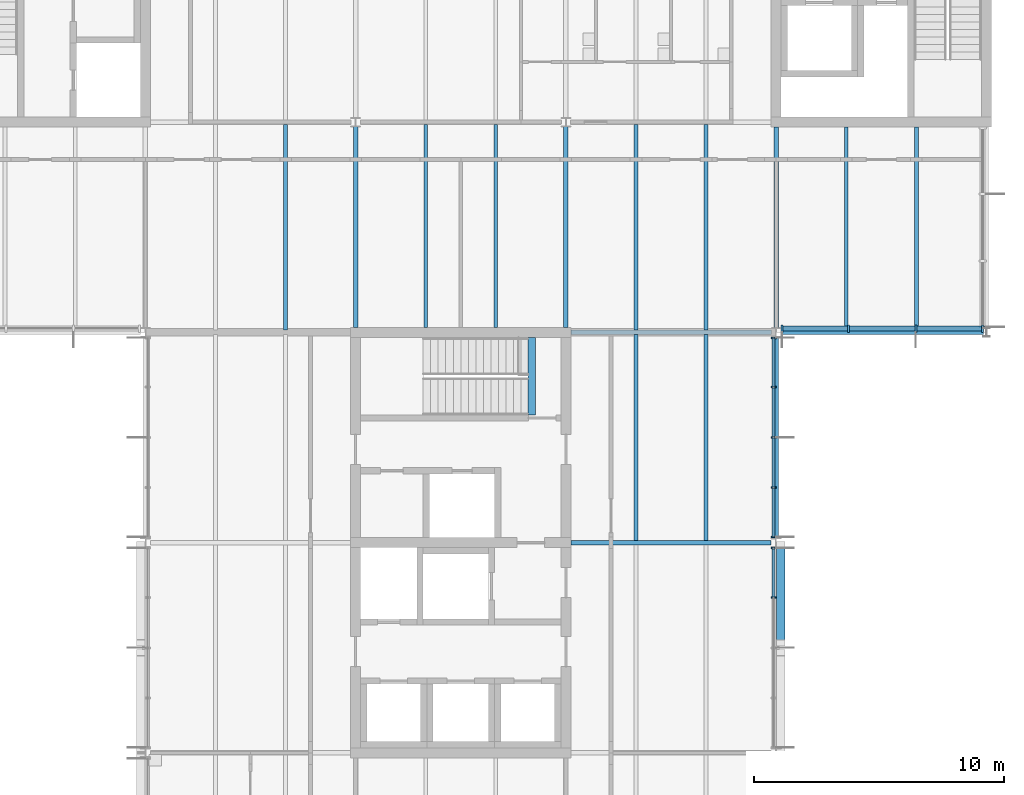
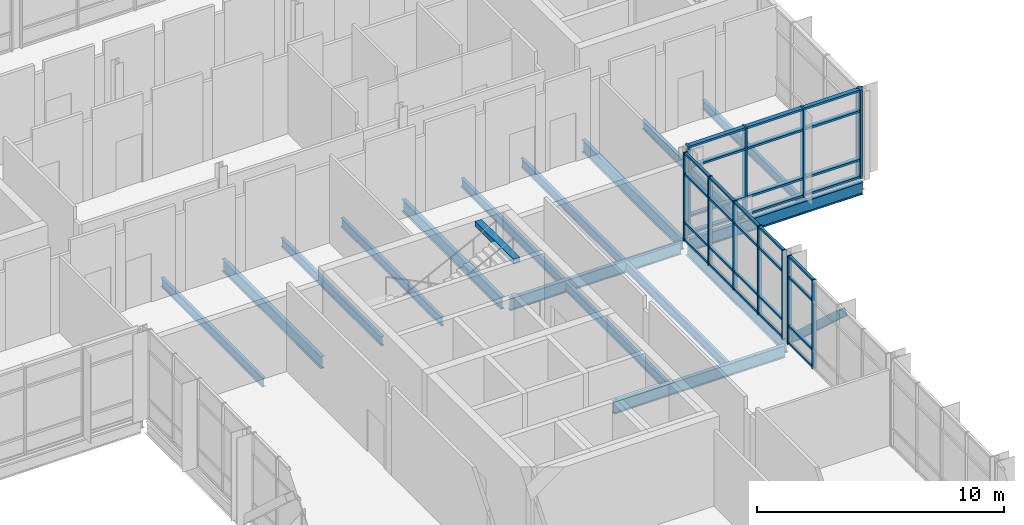
# One storey, part 23 of 72: 45 members, 17 beams, 4 elements without a shape of their own.
"""IFC4 building model written with IfcOpenShell, lengths in metres."""

from ifc_helpers import new_model, si_unit, direction, frame, origin, origin_2d, place, context, subcontext, project, spatial, rectangle, hollow_rectangle, i_section, extrude, material, material_profile, profile_set, type_object, element, aggregate, save


model = new_model("IFC4")

# Units and contexts
model_context = context("Model", 3, precision=1e-05, world=origin(), true_north=direction((0.0, 1.0)))
body_context = subcontext(model_context, "Body", "Model", "MODEL_VIEW")
ifc_project = project(units=[si_unit("LENGTHUNIT", "METRE"), si_unit("AREAUNIT", "SQUARE_METRE"), si_unit("VOLUMEUNIT", "CUBIC_METRE"), si_unit("PLANEANGLEUNIT", "RADIAN"), si_unit("MASSUNIT", "GRAM", prefix="KILO")], contexts=[model_context])

# Site, building, storey
site_placement = place(None, origin())
site = spatial("IfcSite", under=ifc_project, at=site_placement, CompositionType="ELEMENT")
building_placement = place(site_placement, origin())
building = spatial("IfcBuilding", under=site, at=building_placement, Name="Hlaing Beacon Police Headquarters", CompositionType="ELEMENT")
storey_placement = place(building_placement, frame((0.0, 0.0, 14.39990234375)))
storey = spatial("IfcBuildingStorey", under=building, at=storey_placement, Name="L03", CompositionType="ELEMENT", Elevation=14.39990234375)

# Member
ifc_material_1 = material(Name="Steel ASTM A500 Grade C", Category="steel")
ifc_material_profile_1 = material_profile(ifc_material_1, hollow_rectangle(XDim=0.355712890625, YDim=0.355712890625, WallThickness=0.015869140625, at=origin_2d()), Name="HSS14x14x5/8")
ifc_profile_set_1 = profile_set([ifc_material_profile_1], Name="Steel ASTM A500 Grade C")
member_type_1 = type_object("IfcMemberType", Name="Chevron brace HSS14x14x5/8", PredefinedType="BRACE", material=ifc_profile_set_1)
member_1_placement = place(storey_placement, frame((126.181884765625, 58.72412109375, 0.131103515625), z_axis=(0.0, -0.738196081361, 0.674586203137), x_axis=(1.0, 0.0, 0.0)))
element("IfcMember", 1, at=member_1_placement, inside=storey, type_object=member_type_1, Name="STR-BR-L03-R7b", PredefinedType="BRACE", context=body_context, shape_type="SweptSolid", body=[
    extrude(hollow_rectangle(XDim=0.355712890625, YDim=0.355712890625, WallThickness=0.015869140625, at=origin_2d()), origin(), (0.0, 0.0, 1.0), 5.315673828125),
])

# Beams
ifc_material_2 = material(Name="Steel ASTM A992 Grade 50", Category="steel")
ifc_material_profile_2 = material_profile(ifc_material_2, i_section(OverallWidth=0.177978515625, OverallDepth=0.599365234375, WebThickness=0.010009765625, FlangeThickness=0.012939453125, FilletRadius=0.012939453125, at=origin_2d()), Name="W24x55")
ifc_profile_set_2 = profile_set([ifc_material_profile_2], Name="Steel ASTM A992 Grade 50")
beam_type_1 = type_object("IfcBeamType", Name="Girder W24x55", PredefinedType="BEAM", material=ifc_profile_set_2)
beam_1_placement = place(storey_placement, frame((117.800048828125, 58.800048828125, -0.4296875), z_axis=(1.0, 0.0, 0.0), x_axis=(0.0, 1.0, 0.0)))
element("IfcBeam", 2, at=beam_1_placement, inside=storey, type_object=beam_type_1, Name="STR-BM-L03-GX-Q8-R8", PredefinedType="BEAM", context=body_context, shape_type="SweptSolid", body=[
    extrude(i_section(OverallWidth=0.177978515625, OverallDepth=0.599365234375, WebThickness=0.010009765625, FlangeThickness=0.012939453125, FilletRadius=0.012939453125, at=origin_2d()), origin(), (0.0, 0.0, 1.0), 8.0009765625),
])
beam_2_placement = place(storey_placement, frame((117.800048828125, 67.199951171875, -0.4296875), z_axis=(1.0, 0.0, 0.0), x_axis=(0.0, 1.0, 0.0)))
element("IfcBeam", 3, at=beam_2_placement, inside=storey, type_object=beam_type_1, Name="STR-BM-L03-GX-Q9-R9", PredefinedType="BEAM", context=body_context, shape_type="SweptSolid", body=[
    extrude(i_section(OverallWidth=0.177978515625, OverallDepth=0.599365234375, WebThickness=0.010009765625, FlangeThickness=0.012939453125, FilletRadius=0.012939453125, at=origin_2d()), origin(), (0.0, 0.0, 1.0), 8.0029296875),
])
beam_3_placement = place(storey_placement, frame((126.197021484375, 67.199951171875, -0.4296875), z_axis=(1.0, 0.0, 0.0), x_axis=(0.0, 1.0, 0.0)))
element("IfcBeam", 4, at=beam_3_placement, inside=storey, type_object=beam_type_1, Name="STR-BM-L03-GX-R9-S9", PredefinedType="BEAM", context=body_context, shape_type="SweptSolid", body=[
    extrude(i_section(OverallWidth=0.177978515625, OverallDepth=0.599365234375, WebThickness=0.010009765625, FlangeThickness=0.012939453125, FilletRadius=0.012939453125, at=origin_2d()), origin(), (0.0, 0.0, 1.0), 8.075927734375),
])
for number, where, z_axis, x_axis, name in (
    (5, (109.199951171875, 67.39990234375, -0.4296875), (0.0, 1.0, 0.0), (-1.0, 0.0, 0.0), "STR-BM-L03-GY-P9-P10"),
    (6, (117.60009765625, 67.39990234375, -0.4296875), (0.0, 1.0, 0.0), (-1.0, 0.0, 0.0), "STR-BM-L03-GY-Q9-Q10"),
):
    element("IfcBeam", number, at=place(storey_placement, frame(where, z_axis=z_axis, x_axis=x_axis)), inside=storey, type_object=beam_type_1, Name=name, PredefinedType="BEAM", context=body_context, shape_type="SweptSolid", body=[
        extrude(i_section(OverallWidth=0.177978515625, OverallDepth=0.599365234375, WebThickness=0.010009765625, FlangeThickness=0.012939453125, FilletRadius=0.012939453125, at=origin_2d()), origin(), (0.0, 0.0, 1.0), 8.01318359375),
    ])
beam_4_placement = place(storey_placement, frame((126.0, 58.992919921875, -0.4296875), z_axis=(0.0, 1.0, 0.0), x_axis=(-1.0, 0.0, 0.0)))
element("IfcBeam", 7, at=beam_4_placement, inside=storey, type_object=beam_type_1, Name="STR-BM-L03-GY-R8-R9", PredefinedType="BEAM", context=body_context, shape_type="SweptSolid", body=[
    extrude(i_section(OverallWidth=0.177978515625, OverallDepth=0.599365234375, WebThickness=0.010009765625, FlangeThickness=0.012939453125, FilletRadius=0.012939453125, at=origin_2d()), origin(), (0.0, 0.0, 1.0), 8.01904296875),
])
beam_5_placement = place(storey_placement, frame((126.0, 67.387939453125, -0.4296875), z_axis=(0.0, 1.0, 0.0), x_axis=(-1.0, 0.0, 0.0)))
element("IfcBeam", 8, at=beam_5_placement, inside=storey, type_object=beam_type_1, Name="STR-BM-L03-GY-R9-R10", PredefinedType="BEAM", context=body_context, shape_type="SweptSolid", body=[
    extrude(i_section(OverallWidth=0.177978515625, OverallDepth=0.599365234375, WebThickness=0.010009765625, FlangeThickness=0.012939453125, FilletRadius=0.012939453125, at=origin_2d()), origin(), (0.0, 0.0, 1.0), 8.011962890625),
])

# Curtain wall, members
ifc_material_3 = material(Name="Aluminium frame with solar control glazing", Category="aluminium")
curtain_wall_type_1 = type_object("IfcCurtainWallType", Name="Unitised curtain wall 8.02 x 4.37", PredefinedType="NOTDEFINED", material=ifc_material_3)
curtain_wall_1_placement = place(storey_placement, origin())
curtain_wall_1 = element("IfcCurtainWall", 9, at=curtain_wall_1_placement, inside=storey, type_object=curtain_wall_type_1, Name="ENV-CW-L03-E023", PredefinedType="NOTDEFINED")
ifc_material_4 = material(Name="Aluminium", Category="aluminium")
ifc_material_profile_3 = material_profile(ifc_material_4, rectangle(XDim=0.199951171875, YDim=0.06005859375, at=origin_2d()), Name="Mullion 60x200")
ifc_profile_set_3 = profile_set([ifc_material_profile_3], Name="Aluminium")
member_type_2 = type_object("IfcMemberType", Name="Mullion 60x200", PredefinedType="MULLION", material=ifc_profile_set_3)
member_2_placement = place(storey_placement, frame((125.89990234375, 56.604736328125, 0.0), z_axis=(0.0, 0.0, 1.0), x_axis=(-1.0, 0.0, 0.0)))
member_2 = element("IfcMember", 10, at=member_2_placement, type_object=member_type_2, Name="CW-L03-E023 mullion 4", PredefinedType="MULLION", context=body_context, shape_type="SweptSolid", body=[
    extrude(rectangle(XDim=0.199951171875, YDim=0.06005859375, at=origin_2d()), origin(), (0.0, 0.0, 1.0), 4.3701171875),
])
member_3_placement = place(storey_placement, frame((125.89990234375, 58.57958984375, 0.0), z_axis=(0.0, 0.0, 1.0), x_axis=(-1.0, 0.0, 0.0)))
member_3 = element("IfcMember", 11, at=member_3_placement, type_object=member_type_2, Name="CW-L03-E023 mullion 5", PredefinedType="MULLION", context=body_context, shape_type="SweptSolid", body=[
    extrude(rectangle(XDim=0.199951171875, YDim=0.06005859375, at=origin_2d()), origin(), (0.0, 0.0, 1.0), 4.3701171875),
])

curtain_wall_2_placement = place(storey_placement, origin())
curtain_wall_2 = element("IfcCurtainWall", 12, at=curtain_wall_2_placement, inside=storey, type_object=curtain_wall_type_1, Name="ENV-CW-L03-E024", PredefinedType="NOTDEFINED")
member_4_placement = place(storey_placement, frame((125.89990234375, 59.0205078125, 0.0), z_axis=(0.0, 0.0, 1.0), x_axis=(-1.0, 0.0, 0.0)))
member_4 = element("IfcMember", 13, at=member_4_placement, type_object=member_type_2, Name="CW-L03-E024 mullion 1", PredefinedType="MULLION", context=body_context, shape_type="SweptSolid", body=[
    extrude(rectangle(XDim=0.199951171875, YDim=0.06005859375, at=origin_2d()), origin(), (0.0, 0.0, 1.0), 4.3701171875),
])
member_5_placement = place(storey_placement, frame((125.89990234375, 60.99609375, 0.0), z_axis=(0.0, 0.0, 1.0), x_axis=(-1.0, 0.0, 0.0)))
member_5 = element("IfcMember", 14, at=member_5_placement, type_object=member_type_2, Name="CW-L03-E024 mullion 2", PredefinedType="MULLION", context=body_context, shape_type="SweptSolid", body=[
    extrude(rectangle(XDim=0.199951171875, YDim=0.06005859375, at=origin_2d()), origin(), (0.0, 0.0, 1.0), 4.3701171875),
])
member_6_placement = place(storey_placement, frame((125.89990234375, 63.001953125, 0.0), z_axis=(0.0, 0.0, 1.0), x_axis=(-1.0, 0.0, 0.0)))
member_6 = element("IfcMember", 15, at=member_6_placement, type_object=member_type_2, Name="CW-L03-E024 mullion 3", PredefinedType="MULLION", context=body_context, shape_type="SweptSolid", body=[
    extrude(rectangle(XDim=0.199951171875, YDim=0.06005859375, at=origin_2d()), origin(), (0.0, 0.0, 1.0), 4.3701171875),
])
member_7_placement = place(storey_placement, frame((125.89990234375, 65.007568359375, 0.0), z_axis=(0.0, 0.0, 1.0), x_axis=(-1.0, 0.0, 0.0)))
member_7 = element("IfcMember", 16, at=member_7_placement, type_object=member_type_2, Name="CW-L03-E024 mullion 4", PredefinedType="MULLION", context=body_context, shape_type="SweptSolid", body=[
    extrude(rectangle(XDim=0.199951171875, YDim=0.06005859375, at=origin_2d()), origin(), (0.0, 0.0, 1.0), 4.3701171875),
])
member_8_placement = place(storey_placement, frame((125.89990234375, 66.9833984375, 0.0), z_axis=(0.0, 0.0, 1.0), x_axis=(-1.0, 0.0, 0.0)))
member_8 = element("IfcMember", 17, at=member_8_placement, type_object=member_type_2, Name="CW-L03-E024 mullion 5", PredefinedType="MULLION", context=body_context, shape_type="SweptSolid", body=[
    extrude(rectangle(XDim=0.199951171875, YDim=0.06005859375, at=origin_2d()), origin(), (0.0, 0.0, 1.0), 4.3701171875),
])

ifc_material_5 = material(Name="Aluminium frame with solar control glazing", Category="aluminium")
curtain_wall_type_2 = type_object("IfcCurtainWallType", Name="Structural glazed gable wall 8.09 x 4.37", PredefinedType="NOTDEFINED", material=ifc_material_5)
curtain_wall_3_placement = place(storey_placement, origin())
curtain_wall_3 = element("IfcCurtainWall", 18, at=curtain_wall_3_placement, inside=storey, type_object=curtain_wall_type_2, Name="ENV-CW-L03-S025", PredefinedType="NOTDEFINED")
ifc_material_6 = material(Name="Aluminium", Category="aluminium")
ifc_material_profile_4 = material_profile(ifc_material_6, rectangle(XDim=0.300048828125, YDim=0.080078125, at=origin_2d()), Name="Mullion 80x300")
ifc_profile_set_4 = profile_set([ifc_material_profile_4], Name="Aluminium")
member_type_3 = type_object("IfcMemberType", Name="Mullion 80x300", PredefinedType="MULLION", material=ifc_profile_set_4)
member_9_placement = place(storey_placement, frame((126.226806640625, 67.35009765625, 0.0), z_axis=(0.0, 0.0, 1.0), x_axis=(0.0, 1.0, 0.0)))
member_9 = element("IfcMember", 19, at=member_9_placement, type_object=member_type_3, Name="CW-L03-S025 mullion 1", PredefinedType="MULLION", context=body_context, shape_type="SweptSolid", body=[
    extrude(rectangle(XDim=0.300048828125, YDim=0.080078125, at=origin_2d()), origin(), (0.0, 0.0, 1.0), 4.3701171875),
])
member_10_placement = place(storey_placement, frame((128.882080078125, 67.35009765625, 0.0), z_axis=(0.0, 0.0, 1.0), x_axis=(0.0, 1.0, 0.0)))
member_10 = element("IfcMember", 20, at=member_10_placement, type_object=member_type_3, Name="CW-L03-S025 mullion 2", PredefinedType="MULLION", context=body_context, shape_type="SweptSolid", body=[
    extrude(rectangle(XDim=0.300048828125, YDim=0.080078125, at=origin_2d()), origin(), (0.0, 0.0, 1.0), 4.3701171875),
])
member_11_placement = place(storey_placement, frame((131.57763671875, 67.35009765625, 0.0), z_axis=(0.0, 0.0, 1.0), x_axis=(0.0, 1.0, 0.0)))
member_11 = element("IfcMember", 21, at=member_11_placement, type_object=member_type_3, Name="CW-L03-S025 mullion 3", PredefinedType="MULLION", context=body_context, shape_type="SweptSolid", body=[
    extrude(rectangle(XDim=0.300048828125, YDim=0.080078125, at=origin_2d()), origin(), (0.0, 0.0, 1.0), 4.3701171875),
])
member_12_placement = place(storey_placement, frame((134.23291015625, 67.35009765625, 0.0), z_axis=(0.0, 0.0, 1.0), x_axis=(0.0, 1.0, 0.0)))
member_12 = element("IfcMember", 22, at=member_12_placement, type_object=member_type_3, Name="CW-L03-S025 mullion 4", PredefinedType="MULLION", context=body_context, shape_type="SweptSolid", body=[
    extrude(rectangle(XDim=0.300048828125, YDim=0.080078125, at=origin_2d()), origin(), (0.0, 0.0, 1.0), 4.3701171875),
])

# Curtain wall, member
ifc_material_7 = material(Name="Aluminium frame with solar control glazing", Category="aluminium")
curtain_wall_type_3 = type_object("IfcCurtainWallType", Name="Structural glazed gable wall 8.02 x 4.37", PredefinedType="NOTDEFINED", material=ifc_material_7)
curtain_wall_4_placement = place(storey_placement, origin())
curtain_wall_4 = element("IfcCurtainWall", 23, at=curtain_wall_4_placement, inside=storey, type_object=curtain_wall_type_3, Name="ENV-CW-L03-E026", PredefinedType="NOTDEFINED")
member_13_placement = place(storey_placement, frame((134.25, 67.41650390625, 0.0), z_axis=(0.0, 0.0, 1.0), x_axis=(-1.0, 0.0, 0.0)))
member_13 = element("IfcMember", 24, at=member_13_placement, type_object=member_type_3, Name="CW-L03-E026 mullion 1", PredefinedType="MULLION", context=body_context, shape_type="SweptSolid", body=[
    extrude(rectangle(XDim=0.300048828125, YDim=0.080078125, at=origin_2d()), origin(), (0.0, 0.0, 1.0), 4.3701171875),
])
aggregate(curtain_wall_4, [member_13])

# Beams
ifc_material_8 = material(Name="Steel ASTM A992 Grade 50", Category="steel")
ifc_material_profile_5 = material_profile(ifc_material_8, i_section(OverallWidth=0.15234375, OverallDepth=0.449462890625, WebThickness=0.007568359375, FlangeThickness=0.0107421875, FilletRadius=0.01025390625, at=origin_2d()), Name="W18x35")
ifc_profile_set_5 = profile_set([ifc_material_profile_5], Name="Steel ASTM A992 Grade 50")
beam_type_2 = type_object("IfcBeamType", Name="Secondary beam W18x35", PredefinedType="BEAM", material=ifc_profile_set_5)
beam_6_placement = place(storey_placement, frame((106.39990234375, 67.2890625, -0.354736328125), z_axis=(0.0, 1.0, 0.0), x_axis=(-1.0, 0.0, 0.0)))
element("IfcBeam", 25, at=beam_6_placement, inside=storey, type_object=beam_type_2, Name="STR-BM-L03-SB-N9-y2", PredefinedType="BEAM", context=body_context, shape_type="SweptSolid", body=[
    extrude(i_section(OverallWidth=0.15234375, OverallDepth=0.449462890625, WebThickness=0.007568359375, FlangeThickness=0.0107421875, FilletRadius=0.01025390625, at=origin_2d()), origin(), (0.0, 0.0, 1.0), 8.221923828125),
])
for number, where, z_axis, x_axis, name in (
    (26, (112.0, 67.39990234375, -0.354736328125), (0.0, 1.0, 0.0), (-1.0, 0.0, 0.0), "STR-BM-L03-SB-P9-y1"),
    (27, (114.800048828125, 67.39990234375, -0.354736328125), (0.0, 1.0, 0.0), (-1.0, 0.0, 0.0), "STR-BM-L03-SB-P9-y2"),
):
    element("IfcBeam", number, at=place(storey_placement, frame(where, z_axis=z_axis, x_axis=x_axis)), inside=storey, type_object=beam_type_2, Name=name, PredefinedType="BEAM", context=body_context, shape_type="SweptSolid", body=[
        extrude(i_section(OverallWidth=0.15234375, OverallDepth=0.449462890625, WebThickness=0.007568359375, FlangeThickness=0.0107421875, FilletRadius=0.01025390625, at=origin_2d()), origin(), (0.0, 0.0, 1.0), 8.111083984375),
    ])
for number, where, z_axis, x_axis, name in (
    (28, (120.39990234375, 58.888916015625, -0.354736328125), (0.0, 1.0, 0.0), (-1.0, 0.0, 0.0), "STR-BM-L03-SB-Q8-y1"),
    (29, (123.199951171875, 58.888916015625, -0.354736328125), (0.0, 1.0, 0.0), (-1.0, 0.0, 0.0), "STR-BM-L03-SB-Q8-y2"),
):
    element("IfcBeam", number, at=place(storey_placement, frame(where, z_axis=z_axis, x_axis=x_axis)), inside=storey, type_object=beam_type_2, Name=name, PredefinedType="BEAM", context=body_context, shape_type="SweptSolid", body=[
        extrude(i_section(OverallWidth=0.15234375, OverallDepth=0.449462890625, WebThickness=0.007568359375, FlangeThickness=0.0107421875, FilletRadius=0.01025390625, at=origin_2d()), origin(), (0.0, 0.0, 1.0), 8.22216796875),
    ])
for number, where, z_axis, x_axis, name in (
    (30, (120.39990234375, 67.2890625, -0.354736328125), (0.0, 1.0, 0.0), (-1.0, 0.0, 0.0), "STR-BM-L03-SB-Q9-y1"),
    (31, (123.199951171875, 67.2890625, -0.354736328125), (0.0, 1.0, 0.0), (-1.0, 0.0, 0.0), "STR-BM-L03-SB-Q9-y2"),
):
    element("IfcBeam", number, at=place(storey_placement, frame(where, z_axis=z_axis, x_axis=x_axis)), inside=storey, type_object=beam_type_2, Name=name, PredefinedType="BEAM", context=body_context, shape_type="SweptSolid", body=[
        extrude(i_section(OverallWidth=0.15234375, OverallDepth=0.449462890625, WebThickness=0.007568359375, FlangeThickness=0.0107421875, FilletRadius=0.01025390625, at=origin_2d()), origin(), (0.0, 0.0, 1.0), 8.221923828125),
    ])
for number, where, z_axis, x_axis, name in (
    (32, (128.800048828125, 67.2890625, -0.354736328125), (0.0, 1.0, 0.0), (-1.0, 0.0, 0.0), "STR-BM-L03-SB-R9-y1"),
    (33, (131.60009765625, 67.2890625, -0.354736328125), (0.0, 1.0, 0.0), (-1.0, 0.0, 0.0), "STR-BM-L03-SB-R9-y2"),
):
    element("IfcBeam", number, at=place(storey_placement, frame(where, z_axis=z_axis, x_axis=x_axis)), inside=storey, type_object=beam_type_2, Name=name, PredefinedType="BEAM", context=body_context, shape_type="SweptSolid", body=[
        extrude(i_section(OverallWidth=0.15234375, OverallDepth=0.449462890625, WebThickness=0.007568359375, FlangeThickness=0.0107421875, FilletRadius=0.01025390625, at=origin_2d()), origin(), (0.0, 0.0, 1.0), 8.11083984375),
    ])
ifc_material_9 = material(Name="Concrete C40/50", Category="concrete")
ifc_material_profile_6 = material_profile(ifc_material_9, rectangle(XDim=0.300048828125, YDim=0.25, at=origin_2d()), Name="Stair arrival beam 300x250")
ifc_profile_set_6 = profile_set([ifc_material_profile_6], Name="Concrete C40/50")
beam_type_3 = type_object("IfcBeamType", Name="Stair arrival beam 300x250", PredefinedType="BEAM", material=ifc_profile_set_6)
beam_7_placement = place(storey_placement, frame((116.239990234375, 67.0, 4.2451171875), z_axis=(0.0, -1.0, 0.0), x_axis=(1.0, 0.0, 0.0)))
element("IfcBeam", 34, at=beam_7_placement, inside=storey, type_object=beam_type_3, Name="Stair arrival beam ST-M", PredefinedType="BEAM", context=body_context, shape_type="SweptSolid", body=[
    extrude(rectangle(XDim=0.300048828125, YDim=0.25, at=origin_2d()), origin(), (0.0, 0.0, 1.0), 3.10009765625),
])

# Member
ifc_material_10 = material(Name="Aluminium", Category="aluminium")
ifc_material_profile_7 = material_profile(ifc_material_10, rectangle(XDim=0.1201171875, YDim=0.10009765625, at=origin_2d()), Name="Transom 120x100")
ifc_profile_set_7 = profile_set([ifc_material_profile_7], Name="Aluminium")
member_type_4 = type_object("IfcMemberType", Name="Transom 120x100", PredefinedType="USERDEFINED", material=ifc_profile_set_7)
member_14_placement = place(storey_placement, frame((125.89990234375, 56.634765625, 0.050048828125), z_axis=(0.0, 1.0, 0.0), x_axis=(-1.0, 0.0, 0.0)))
member_14 = element("IfcMember", 35, at=member_14_placement, type_object=member_type_4, Name="CW-L03-E023 transom 4.1", ObjectType="TRANSOM", PredefinedType="USERDEFINED", context=body_context, shape_type="SweptSolid", body=[
    extrude(rectangle(XDim=0.1201171875, YDim=0.10009765625, at=origin_2d()), origin(), (0.0, 0.0, 1.0), 1.914794921875),
])

member_15_placement = place(storey_placement, frame((125.89990234375, 56.634765625, 0.900146484375), z_axis=(0.0, 1.0, 0.0), x_axis=(-1.0, 0.0, 0.0)))
member_15 = element("IfcMember", 36, at=member_15_placement, type_object=member_type_4, Name="CW-L03-E023 transom 4.2", ObjectType="TRANSOM", PredefinedType="USERDEFINED", context=body_context, shape_type="SweptSolid", body=[
    extrude(rectangle(XDim=0.1201171875, YDim=0.10009765625, at=origin_2d()), origin(), (0.0, 0.0, 1.0), 1.914794921875),
])

member_16_placement = place(storey_placement, frame((125.89990234375, 56.634765625, 3.300048828125), z_axis=(0.0, 1.0, 0.0), x_axis=(-1.0, 0.0, 0.0)))
member_16 = element("IfcMember", 37, at=member_16_placement, type_object=member_type_4, Name="CW-L03-E023 transom 4.3", ObjectType="TRANSOM", PredefinedType="USERDEFINED", context=body_context, shape_type="SweptSolid", body=[
    extrude(rectangle(XDim=0.1201171875, YDim=0.10009765625, at=origin_2d()), origin(), (0.0, 0.0, 1.0), 1.914794921875),
])

member_17_placement = place(storey_placement, frame((125.89990234375, 56.634765625, 4.320068359375), z_axis=(0.0, 1.0, 0.0), x_axis=(-1.0, 0.0, 0.0)))
member_17 = element("IfcMember", 38, at=member_17_placement, type_object=member_type_4, Name="CW-L03-E023 transom 4.4", ObjectType="TRANSOM", PredefinedType="USERDEFINED", context=body_context, shape_type="SweptSolid", body=[
    extrude(rectangle(XDim=0.1201171875, YDim=0.10009765625, at=origin_2d()), origin(), (0.0, 0.0, 1.0), 1.914794921875),
])

aggregate(curtain_wall_1, [member_2, member_3, member_14, member_15, member_16, member_17])

member_18_placement = place(storey_placement, frame((125.89990234375, 59.050537109375, 0.050048828125), z_axis=(0.0, 1.0, 0.0), x_axis=(-1.0, 0.0, 0.0)))
member_18 = element("IfcMember", 39, at=member_18_placement, type_object=member_type_4, Name="CW-L03-E024 transom 1.1", ObjectType="TRANSOM", PredefinedType="USERDEFINED", context=body_context, shape_type="SweptSolid", body=[
    extrude(rectangle(XDim=0.1201171875, YDim=0.10009765625, at=origin_2d()), origin(), (0.0, 0.0, 1.0), 1.915771484375),
])

member_19_placement = place(storey_placement, frame((125.89990234375, 59.050537109375, 0.900146484375), z_axis=(0.0, 1.0, 0.0), x_axis=(-1.0, 0.0, 0.0)))
member_19 = element("IfcMember", 40, at=member_19_placement, type_object=member_type_4, Name="CW-L03-E024 transom 1.2", ObjectType="TRANSOM", PredefinedType="USERDEFINED", context=body_context, shape_type="SweptSolid", body=[
    extrude(rectangle(XDim=0.1201171875, YDim=0.10009765625, at=origin_2d()), origin(), (0.0, 0.0, 1.0), 1.915771484375),
])

member_20_placement = place(storey_placement, frame((125.89990234375, 59.050537109375, 3.300048828125), z_axis=(0.0, 1.0, 0.0), x_axis=(-1.0, 0.0, 0.0)))
member_20 = element("IfcMember", 41, at=member_20_placement, type_object=member_type_4, Name="CW-L03-E024 transom 1.3", ObjectType="TRANSOM", PredefinedType="USERDEFINED", context=body_context, shape_type="SweptSolid", body=[
    extrude(rectangle(XDim=0.1201171875, YDim=0.10009765625, at=origin_2d()), origin(), (0.0, 0.0, 1.0), 1.915771484375),
])

member_21_placement = place(storey_placement, frame((125.89990234375, 59.050537109375, 4.320068359375), z_axis=(0.0, 1.0, 0.0), x_axis=(-1.0, 0.0, 0.0)))
member_21 = element("IfcMember", 42, at=member_21_placement, type_object=member_type_4, Name="CW-L03-E024 transom 1.4", ObjectType="TRANSOM", PredefinedType="USERDEFINED", context=body_context, shape_type="SweptSolid", body=[
    extrude(rectangle(XDim=0.1201171875, YDim=0.10009765625, at=origin_2d()), origin(), (0.0, 0.0, 1.0), 1.915771484375),
])

member_22_placement = place(storey_placement, frame((125.89990234375, 61.026123046875, 0.050048828125), z_axis=(0.0, 1.0, 0.0), x_axis=(-1.0, 0.0, 0.0)))
member_22 = element("IfcMember", 43, at=member_22_placement, type_object=member_type_4, Name="CW-L03-E024 transom 2.1", ObjectType="TRANSOM", PredefinedType="USERDEFINED", context=body_context, shape_type="SweptSolid", body=[
    extrude(rectangle(XDim=0.1201171875, YDim=0.10009765625, at=origin_2d()), origin(), (0.0, 0.0, 1.0), 1.94580078125),
])

member_23_placement = place(storey_placement, frame((125.89990234375, 61.026123046875, 0.900146484375), z_axis=(0.0, 1.0, 0.0), x_axis=(-1.0, 0.0, 0.0)))
member_23 = element("IfcMember", 44, at=member_23_placement, type_object=member_type_4, Name="CW-L03-E024 transom 2.2", ObjectType="TRANSOM", PredefinedType="USERDEFINED", context=body_context, shape_type="SweptSolid", body=[
    extrude(rectangle(XDim=0.1201171875, YDim=0.10009765625, at=origin_2d()), origin(), (0.0, 0.0, 1.0), 1.94580078125),
])

member_24_placement = place(storey_placement, frame((125.89990234375, 61.026123046875, 3.300048828125), z_axis=(0.0, 1.0, 0.0), x_axis=(-1.0, 0.0, 0.0)))
member_24 = element("IfcMember", 45, at=member_24_placement, type_object=member_type_4, Name="CW-L03-E024 transom 2.3", ObjectType="TRANSOM", PredefinedType="USERDEFINED", context=body_context, shape_type="SweptSolid", body=[
    extrude(rectangle(XDim=0.1201171875, YDim=0.10009765625, at=origin_2d()), origin(), (0.0, 0.0, 1.0), 1.94580078125),
])

member_25_placement = place(storey_placement, frame((125.89990234375, 61.026123046875, 4.320068359375), z_axis=(0.0, 1.0, 0.0), x_axis=(-1.0, 0.0, 0.0)))
member_25 = element("IfcMember", 46, at=member_25_placement, type_object=member_type_4, Name="CW-L03-E024 transom 2.4", ObjectType="TRANSOM", PredefinedType="USERDEFINED", context=body_context, shape_type="SweptSolid", body=[
    extrude(rectangle(XDim=0.1201171875, YDim=0.10009765625, at=origin_2d()), origin(), (0.0, 0.0, 1.0), 1.94580078125),
])

member_26_placement = place(storey_placement, frame((125.89990234375, 63.031982421875, 0.050048828125), z_axis=(0.0, 1.0, 0.0), x_axis=(-1.0, 0.0, 0.0)))
member_26 = element("IfcMember", 47, at=member_26_placement, type_object=member_type_4, Name="CW-L03-E024 transom 3.1", ObjectType="TRANSOM", PredefinedType="USERDEFINED", context=body_context, shape_type="SweptSolid", body=[
    extrude(rectangle(XDim=0.1201171875, YDim=0.10009765625, at=origin_2d()), origin(), (0.0, 0.0, 1.0), 1.945556640625),
])

member_27_placement = place(storey_placement, frame((125.89990234375, 63.031982421875, 0.900146484375), z_axis=(0.0, 1.0, 0.0), x_axis=(-1.0, 0.0, 0.0)))
member_27 = element("IfcMember", 48, at=member_27_placement, type_object=member_type_4, Name="CW-L03-E024 transom 3.2", ObjectType="TRANSOM", PredefinedType="USERDEFINED", context=body_context, shape_type="SweptSolid", body=[
    extrude(rectangle(XDim=0.1201171875, YDim=0.10009765625, at=origin_2d()), origin(), (0.0, 0.0, 1.0), 1.945556640625),
])

member_28_placement = place(storey_placement, frame((125.89990234375, 63.031982421875, 3.300048828125), z_axis=(0.0, 1.0, 0.0), x_axis=(-1.0, 0.0, 0.0)))
member_28 = element("IfcMember", 49, at=member_28_placement, type_object=member_type_4, Name="CW-L03-E024 transom 3.3", ObjectType="TRANSOM", PredefinedType="USERDEFINED", context=body_context, shape_type="SweptSolid", body=[
    extrude(rectangle(XDim=0.1201171875, YDim=0.10009765625, at=origin_2d()), origin(), (0.0, 0.0, 1.0), 1.945556640625),
])

member_29_placement = place(storey_placement, frame((125.89990234375, 63.031982421875, 4.320068359375), z_axis=(0.0, 1.0, 0.0), x_axis=(-1.0, 0.0, 0.0)))
member_29 = element("IfcMember", 50, at=member_29_placement, type_object=member_type_4, Name="CW-L03-E024 transom 3.4", ObjectType="TRANSOM", PredefinedType="USERDEFINED", context=body_context, shape_type="SweptSolid", body=[
    extrude(rectangle(XDim=0.1201171875, YDim=0.10009765625, at=origin_2d()), origin(), (0.0, 0.0, 1.0), 1.945556640625),
])

member_30_placement = place(storey_placement, frame((125.89990234375, 65.03759765625, 0.050048828125), z_axis=(0.0, 1.0, 0.0), x_axis=(-1.0, 0.0, 0.0)))
member_30 = element("IfcMember", 51, at=member_30_placement, type_object=member_type_4, Name="CW-L03-E024 transom 4.1", ObjectType="TRANSOM", PredefinedType="USERDEFINED", context=body_context, shape_type="SweptSolid", body=[
    extrude(rectangle(XDim=0.1201171875, YDim=0.10009765625, at=origin_2d()), origin(), (0.0, 0.0, 1.0), 1.915771484375),
])

member_31_placement = place(storey_placement, frame((125.89990234375, 65.03759765625, 0.900146484375), z_axis=(0.0, 1.0, 0.0), x_axis=(-1.0, 0.0, 0.0)))
member_31 = element("IfcMember", 52, at=member_31_placement, type_object=member_type_4, Name="CW-L03-E024 transom 4.2", ObjectType="TRANSOM", PredefinedType="USERDEFINED", context=body_context, shape_type="SweptSolid", body=[
    extrude(rectangle(XDim=0.1201171875, YDim=0.10009765625, at=origin_2d()), origin(), (0.0, 0.0, 1.0), 1.915771484375),
])

member_32_placement = place(storey_placement, frame((125.89990234375, 65.03759765625, 3.300048828125), z_axis=(0.0, 1.0, 0.0), x_axis=(-1.0, 0.0, 0.0)))
member_32 = element("IfcMember", 53, at=member_32_placement, type_object=member_type_4, Name="CW-L03-E024 transom 4.3", ObjectType="TRANSOM", PredefinedType="USERDEFINED", context=body_context, shape_type="SweptSolid", body=[
    extrude(rectangle(XDim=0.1201171875, YDim=0.10009765625, at=origin_2d()), origin(), (0.0, 0.0, 1.0), 1.915771484375),
])

member_33_placement = place(storey_placement, frame((125.89990234375, 65.03759765625, 4.320068359375), z_axis=(0.0, 1.0, 0.0), x_axis=(-1.0, 0.0, 0.0)))
member_33 = element("IfcMember", 54, at=member_33_placement, type_object=member_type_4, Name="CW-L03-E024 transom 4.4", ObjectType="TRANSOM", PredefinedType="USERDEFINED", context=body_context, shape_type="SweptSolid", body=[
    extrude(rectangle(XDim=0.1201171875, YDim=0.10009765625, at=origin_2d()), origin(), (0.0, 0.0, 1.0), 1.915771484375),
])

aggregate(curtain_wall_2, [member_4, member_5, member_6, member_7, member_8, member_18, member_19, member_20, member_21, member_22, member_23, member_24, member_25, member_26, member_27, member_28, member_29, member_30, member_31, member_32, member_33])

ifc_material_11 = material(Name="Aluminium", Category="aluminium")
ifc_material_profile_8 = material_profile(ifc_material_11, rectangle(XDim=0.199951171875, YDim=0.10009765625, at=origin_2d()), Name="Transom 200x100")
ifc_profile_set_8 = profile_set([ifc_material_profile_8], Name="Aluminium")
member_type_5 = type_object("IfcMemberType", Name="Transom 200x100", PredefinedType="USERDEFINED", material=ifc_profile_set_8)
member_34_placement = place(storey_placement, frame((126.2666015625, 67.35009765625, 0.050048828125), z_axis=(1.0, 0.0, 0.0), x_axis=(0.0, 1.0, 0.0)))
member_34 = element("IfcMember", 55, at=member_34_placement, type_object=member_type_5, Name="CW-L03-S025 transom 1.1", ObjectType="TRANSOM", PredefinedType="USERDEFINED", context=body_context, shape_type="SweptSolid", body=[
    extrude(rectangle(XDim=0.199951171875, YDim=0.10009765625, at=origin_2d()), origin(), (0.0, 0.0, 1.0), 2.575439453125),
])

member_35_placement = place(storey_placement, frame((126.2666015625, 67.35009765625, 0.900146484375), z_axis=(1.0, 0.0, 0.0), x_axis=(0.0, 1.0, 0.0)))
member_35 = element("IfcMember", 56, at=member_35_placement, type_object=member_type_5, Name="CW-L03-S025 transom 1.2", ObjectType="TRANSOM", PredefinedType="USERDEFINED", context=body_context, shape_type="SweptSolid", body=[
    extrude(rectangle(XDim=0.199951171875, YDim=0.10009765625, at=origin_2d()), origin(), (0.0, 0.0, 1.0), 2.575439453125),
])

member_36_placement = place(storey_placement, frame((126.2666015625, 67.35009765625, 3.300048828125), z_axis=(1.0, 0.0, 0.0), x_axis=(0.0, 1.0, 0.0)))
member_36 = element("IfcMember", 57, at=member_36_placement, type_object=member_type_5, Name="CW-L03-S025 transom 1.3", ObjectType="TRANSOM", PredefinedType="USERDEFINED", context=body_context, shape_type="SweptSolid", body=[
    extrude(rectangle(XDim=0.199951171875, YDim=0.10009765625, at=origin_2d()), origin(), (0.0, 0.0, 1.0), 2.575439453125),
])

member_37_placement = place(storey_placement, frame((126.2666015625, 67.35009765625, 4.320068359375), z_axis=(1.0, 0.0, 0.0), x_axis=(0.0, 1.0, 0.0)))
member_37 = element("IfcMember", 58, at=member_37_placement, type_object=member_type_5, Name="CW-L03-S025 transom 1.4", ObjectType="TRANSOM", PredefinedType="USERDEFINED", context=body_context, shape_type="SweptSolid", body=[
    extrude(rectangle(XDim=0.199951171875, YDim=0.10009765625, at=origin_2d()), origin(), (0.0, 0.0, 1.0), 2.575439453125),
])

member_38_placement = place(storey_placement, frame((128.922119140625, 67.35009765625, 0.050048828125), z_axis=(1.0, 0.0, 0.0), x_axis=(0.0, 1.0, 0.0)))
member_38 = element("IfcMember", 59, at=member_38_placement, type_object=member_type_5, Name="CW-L03-S025 transom 2.1", ObjectType="TRANSOM", PredefinedType="USERDEFINED", context=body_context, shape_type="SweptSolid", body=[
    extrude(rectangle(XDim=0.199951171875, YDim=0.10009765625, at=origin_2d()), origin(), (0.0, 0.0, 1.0), 2.615478515625),
])

member_39_placement = place(storey_placement, frame((128.922119140625, 67.35009765625, 0.900146484375), z_axis=(1.0, 0.0, 0.0), x_axis=(0.0, 1.0, 0.0)))
member_39 = element("IfcMember", 60, at=member_39_placement, type_object=member_type_5, Name="CW-L03-S025 transom 2.2", ObjectType="TRANSOM", PredefinedType="USERDEFINED", context=body_context, shape_type="SweptSolid", body=[
    extrude(rectangle(XDim=0.199951171875, YDim=0.10009765625, at=origin_2d()), origin(), (0.0, 0.0, 1.0), 2.615478515625),
])

member_40_placement = place(storey_placement, frame((128.922119140625, 67.35009765625, 3.300048828125), z_axis=(1.0, 0.0, 0.0), x_axis=(0.0, 1.0, 0.0)))
member_40 = element("IfcMember", 61, at=member_40_placement, type_object=member_type_5, Name="CW-L03-S025 transom 2.3", ObjectType="TRANSOM", PredefinedType="USERDEFINED", context=body_context, shape_type="SweptSolid", body=[
    extrude(rectangle(XDim=0.199951171875, YDim=0.10009765625, at=origin_2d()), origin(), (0.0, 0.0, 1.0), 2.615478515625),
])

member_41_placement = place(storey_placement, frame((128.922119140625, 67.35009765625, 4.320068359375), z_axis=(1.0, 0.0, 0.0), x_axis=(0.0, 1.0, 0.0)))
member_41 = element("IfcMember", 62, at=member_41_placement, type_object=member_type_5, Name="CW-L03-S025 transom 2.4", ObjectType="TRANSOM", PredefinedType="USERDEFINED", context=body_context, shape_type="SweptSolid", body=[
    extrude(rectangle(XDim=0.199951171875, YDim=0.10009765625, at=origin_2d()), origin(), (0.0, 0.0, 1.0), 2.615478515625),
])

member_42_placement = place(storey_placement, frame((131.61767578125, 67.35009765625, 0.050048828125), z_axis=(1.0, 0.0, 0.0), x_axis=(0.0, 1.0, 0.0)))
member_42 = element("IfcMember", 63, at=member_42_placement, type_object=member_type_5, Name="CW-L03-S025 transom 3.1", ObjectType="TRANSOM", PredefinedType="USERDEFINED", context=body_context, shape_type="SweptSolid", body=[
    extrude(rectangle(XDim=0.199951171875, YDim=0.10009765625, at=origin_2d()), origin(), (0.0, 0.0, 1.0), 2.575439453125),
])

member_43_placement = place(storey_placement, frame((131.61767578125, 67.35009765625, 0.900146484375), z_axis=(1.0, 0.0, 0.0), x_axis=(0.0, 1.0, 0.0)))
member_43 = element("IfcMember", 64, at=member_43_placement, type_object=member_type_5, Name="CW-L03-S025 transom 3.2", ObjectType="TRANSOM", PredefinedType="USERDEFINED", context=body_context, shape_type="SweptSolid", body=[
    extrude(rectangle(XDim=0.199951171875, YDim=0.10009765625, at=origin_2d()), origin(), (0.0, 0.0, 1.0), 2.575439453125),
])

member_44_placement = place(storey_placement, frame((131.61767578125, 67.35009765625, 3.300048828125), z_axis=(1.0, 0.0, 0.0), x_axis=(0.0, 1.0, 0.0)))
member_44 = element("IfcMember", 65, at=member_44_placement, type_object=member_type_5, Name="CW-L03-S025 transom 3.3", ObjectType="TRANSOM", PredefinedType="USERDEFINED", context=body_context, shape_type="SweptSolid", body=[
    extrude(rectangle(XDim=0.199951171875, YDim=0.10009765625, at=origin_2d()), origin(), (0.0, 0.0, 1.0), 2.575439453125),
])

member_45_placement = place(storey_placement, frame((131.61767578125, 67.35009765625, 4.320068359375), z_axis=(1.0, 0.0, 0.0), x_axis=(0.0, 1.0, 0.0)))
member_45 = element("IfcMember", 66, at=member_45_placement, type_object=member_type_5, Name="CW-L03-S025 transom 3.4", ObjectType="TRANSOM", PredefinedType="USERDEFINED", context=body_context, shape_type="SweptSolid", body=[
    extrude(rectangle(XDim=0.199951171875, YDim=0.10009765625, at=origin_2d()), origin(), (0.0, 0.0, 1.0), 2.575439453125),
])

aggregate(curtain_wall_3, [member_9, member_10, member_11, member_12, member_34, member_35, member_36, member_37, member_38, member_39, member_40, member_41, member_42, member_43, member_44, member_45])

save(model, "model.ifc")
